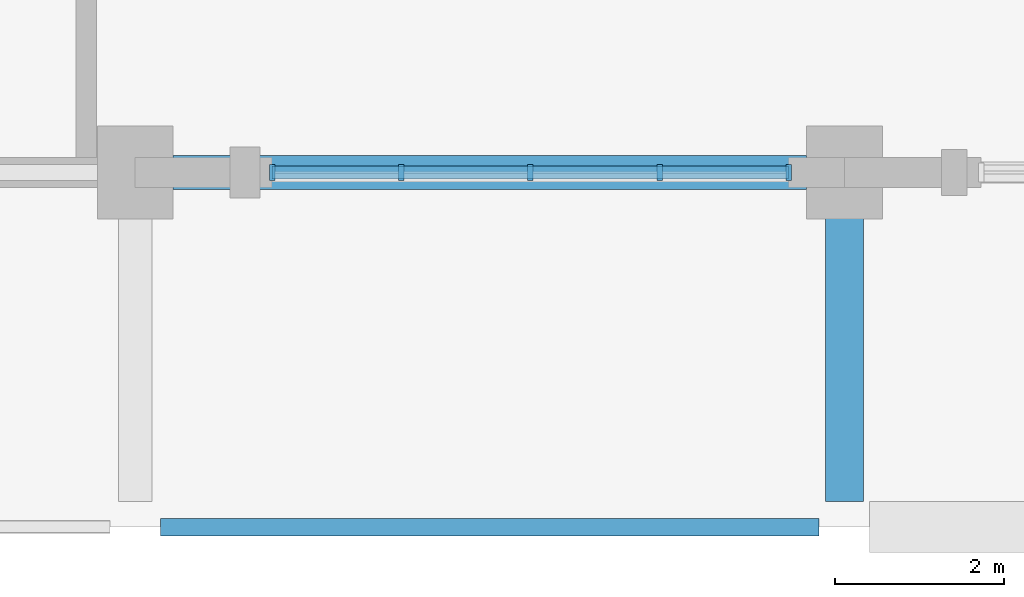
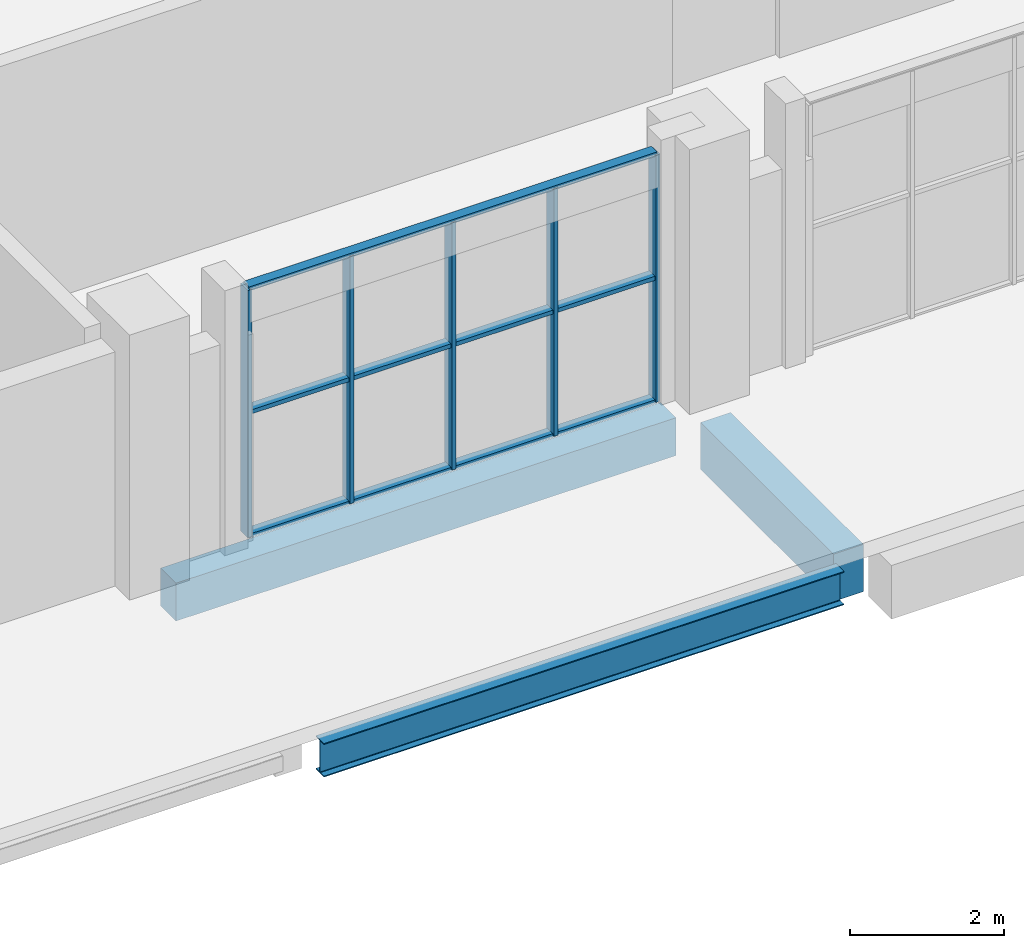
# One storey, part 35 of 59: 8 members, 3 beams, 1 element without a shape of its own.
"""IFC4 building model written with IfcOpenShell, lengths in metres."""

import ifcopenshell
import ifcopenshell.guid

model = None  # the IFC model being written
_history = None  # IfcOwnerHistory: only IFC2X3 demands one
_inside = {}  # id of a spatial element -> (the spatial element, [elements in it])
_under = {}  # id of a project, library or spatial element -> (it, [spatial elements below it])
_declared = {}  # id of a project -> (the project, [libraries it declares])
_typed = {}  # id of a type object -> (the type object, [elements of that type])
_made_of = {}  # id of a material, layer set ... -> (it, [elements and type objects made of it])


def new_model(schema):
    """Start an empty IFC model of exactly this schema.

    Asked for "IFC4X3", IfcOpenShell would pick the latest addendum, in which some entities
    have other attributes; the version numbers below select the first issue.
    IFC2X3 requires an IfcOwnerHistory on every rooted entity: one is made here for all.
    """
    global model, _history
    if schema == "IFC4X3":
        model = ifcopenshell.file(schema_version=(4, 3, 0, 0))
    else:
        model = ifcopenshell.file(schema=schema)
    _inside.clear()
    _under.clear()
    _declared.clear()
    _typed.clear()
    _made_of.clear()
    _history = None
    if model.schema == "IFC2X3":
        org = make("IfcOrganization", Name="unknown")
        user = make(
            "IfcPersonAndOrganization",
            ThePerson=make("IfcPerson", FamilyName="unknown"),
            TheOrganization=org,
        )
        app = make(
            "IfcApplication",
            ApplicationDeveloper=org,
            Version="unknown",
            ApplicationFullName="unknown",
            ApplicationIdentifier="unknown",
        )
        _history = make(
            "IfcOwnerHistory",
            OwningUser=user,
            OwningApplication=app,
            ChangeAction="ADDED",
            CreationDate=0,
        )
    return model


def make(cls, **values):
    """One entity of the class cls with the attributes given. An attribute that is None is left unset."""
    return model.create_entity(
        cls, **{name: value for name, value in values.items() if value is not None}
    )


def rooted(cls, **values):
    """An entity with a GlobalId (a new one), such as an element, a storey or a relation."""
    return make(cls, GlobalId=ifcopenshell.guid.new(), OwnerHistory=_history, **values)


def si_unit(unit_type, name, prefix=None):
    """IfcSIUnit, for example si_unit("LENGTHUNIT", "METRE", prefix="MILLI")."""
    return make("IfcSIUnit", UnitType=unit_type, Prefix=prefix, Name=name)


def derived_unit(unit_type, elements):
    """IfcDerivedUnit: a product of units, each with its exponent."""
    return make(
        "IfcDerivedUnit",
        Elements=[
            make("IfcDerivedUnitElement", Unit=unit, Exponent=power)
            for unit, power in elements
        ],
        UnitType=unit_type,
    )


def assignment(units):
    """IfcUnitAssignment: the units of a project."""
    return None if units is None else make("IfcUnitAssignment", Units=units)


def point(xyz):
    """IfcCartesianPoint."""
    return None if xyz is None else make("IfcCartesianPoint", Coordinates=xyz)


def direction(xyz):
    """IfcDirection."""
    return None if xyz is None else make("IfcDirection", DirectionRatios=xyz)


def frame(location, z_axis=None, x_axis=None):
    """IfcAxis2Placement3D, a coordinate frame: its origin and axes. An axis left out is left unset."""
    return make(
        "IfcAxis2Placement3D",
        Location=point(location),
        Axis=direction(z_axis),
        RefDirection=direction(x_axis),
    )


def frame_2d(location, x_axis=None):
    """IfcAxis2Placement2D, a coordinate frame in the plane: its origin and x axis."""
    return make(
        "IfcAxis2Placement2D", Location=point(location), RefDirection=direction(x_axis)
    )


def origin():
    """The frame at (0, 0, 0) with its axes left unset."""
    return frame((0.0, 0.0, 0.0))


def origin_2d():
    """The frame at (0, 0) in the plane with its x axis left unset."""
    return frame_2d((0.0, 0.0))


def place(relative_to, where):
    """IfcLocalPlacement: puts the frame where relative to a parent placement (None: the world)."""
    return make(
        "IfcLocalPlacement", PlacementRelTo=relative_to, RelativePlacement=where
    )


def context(
    kind, dimensions, precision=None, world=None, true_north=None, identifier=None
):
    """IfcGeometricRepresentationContext, for example the 3D "Model" context."""
    return make(
        "IfcGeometricRepresentationContext",
        ContextIdentifier=identifier,
        ContextType=kind,
        CoordinateSpaceDimension=dimensions,
        Precision=precision,
        WorldCoordinateSystem=world,
        TrueNorth=true_north,
    )


def subcontext(parent, identifier, kind, view, scale=None):
    """IfcGeometricRepresentationSubContext, for example "Body" below "Model"."""
    return make(
        "IfcGeometricRepresentationSubContext",
        ContextIdentifier=identifier,
        ContextType=kind,
        ParentContext=parent,
        TargetScale=scale,
        TargetView=view,
    )


def project(units=None, contexts=None):
    """IfcProject with its units and contexts."""
    return rooted(
        "IfcProject",
        Name="project",
        RepresentationContexts=contexts,
        UnitsInContext=assignment(units),
    )


def spatial(cls, under=None, at=None, **own):
    """A site, building, storey or space (cls), placed at a placement, below another one or the project."""
    s = rooted(cls, ObjectPlacement=at, **own)
    if under is not None:
        _under.setdefault(under.id(), (under, []))[1].append(s)
    return s


def profile(cls, at=None, kind="AREA", **sizes):
    """A parametric profile (cls). Its sizes go by their IFC names, for example OverallWidth=200.0."""
    return make(cls, ProfileType=kind, Position=at, **sizes)


def rectangle(**sizes):
    """IfcRectangleProfileDef."""
    return profile("IfcRectangleProfileDef", **sizes)


def i_section(**sizes):
    """IfcIShapeProfileDef."""
    return profile("IfcIShapeProfileDef", **sizes)


def extrude(swept, where, along, depth):
    """IfcExtrudedAreaSolid: the profile swept, set in the frame where, extruded along a direction by depth."""
    return make(
        "IfcExtrudedAreaSolid",
        SweptArea=swept,
        Position=where,
        ExtrudedDirection=direction(along),
        Depth=depth,
    )


def shape(context_of_items, identifier, shape_type, items):
    """IfcShapeRepresentation: the items that make up one representation, for example the "Body"."""
    return make(
        "IfcShapeRepresentation",
        ContextOfItems=context_of_items,
        RepresentationIdentifier=identifier,
        RepresentationType=shape_type,
        Items=items,
    )


def material(Name=None, Category=None):
    """IfcMaterial."""
    return make("IfcMaterial", Name=Name, Category=Category)


def material_profile(
    of_material, cross_section, Name=None, Category=None, Priority=None
):
    """IfcMaterialProfile: a cross section and its material."""
    return make(
        "IfcMaterialProfile",
        Name=Name,
        Material=of_material,
        Profile=cross_section,
        Priority=Priority,
        Category=Category,
    )


def profile_set(profiles, Name=None, composite=None):
    """IfcMaterialProfileSet."""
    return make(
        "IfcMaterialProfileSet",
        Name=Name,
        MaterialProfiles=profiles,
        CompositeProfile=composite,
    )


def made_of(thing, what):
    """Note that an element or type object is made of a material, layer set ...; save() writes the relation."""
    if what is not None:
        _made_of.setdefault(what.id(), (what, []))[1].append(thing)
    return thing


def type_object(cls, material=None, **own):
    """A type object (cls), such as IfcWallType, which elements share."""
    return made_of(rooted(cls, **own), material)


def element(
    cls,
    number,
    at=None,
    inside=None,
    cuts=None,
    type_object=None,
    material=None,
    context=None,
    identifier="Body",
    shape_type=None,
    held_by="IfcProductDefinitionShape",
    body=None,
    shapes=None,
    **own,
):
    """One element of the class cls, such as IfcWall. Its Tag is "e" and its number.

    at: its placement. inside: the storey or other place that contains it. cuts: it is an
    opening in that element (IfcRelVoidsElement). A single representation is given by context,
    identifier, shape_type and body (its items); several are given by shapes. held_by: the class
    of the entity that holds the representations. save() writes the other relations.
    """
    e = rooted(cls, Tag="e%d" % number, ObjectPlacement=at, **own)
    if body is not None:
        shapes = [shape(context, identifier, shape_type, body)]
    if shapes is not None:
        e.Representation = make(held_by, Representations=shapes)
    if inside is not None:
        _inside.setdefault(inside.id(), (inside, []))[1].append(e)
    if cuts is not None:
        rooted(
            "IfcRelVoidsElement", RelatingBuildingElement=cuts, RelatedOpeningElement=e
        )
    if type_object is not None:
        _typed.setdefault(type_object.id(), (type_object, []))[1].append(e)
    return made_of(e, material)


def aggregate(whole, parts):
    """IfcRelAggregates: a whole, such as a stair, and the parts it consists of."""
    return rooted("IfcRelAggregates", RelatingObject=whole, RelatedObjects=parts)


def save(model, path):
    """Write the relations noted so far, then the file.

    IfcRelAggregates (storeys below a building ...), IfcRelContainedInSpatialStructure (elements
    in a storey), IfcRelDefinesByType, IfcRelAssociatesMaterial and IfcRelDeclares: one each for
    every whole, place, type object, material and project.
    """
    for whole, parts in _under.values():
        aggregate(whole, parts)
    for where, things in _inside.values():
        rooted(
            "IfcRelContainedInSpatialStructure",
            RelatedElements=things,
            RelatingStructure=where,
        )
    for kind, things in _typed.values():
        rooted("IfcRelDefinesByType", RelatedObjects=things, RelatingType=kind)
    for what, things in _made_of.values():
        rooted("IfcRelAssociatesMaterial", RelatedObjects=things, RelatingMaterial=what)
    for by, libraries in _declared.values():
        rooted("IfcRelDeclares", RelatingContext=by, RelatedDefinitions=libraries)
    model.write(path)


model = new_model("IFC4")

# Units and contexts
model_context = context("Model", 3, precision=1e-05, world=origin(), true_north=direction((0.0, 1.0)))
body_context = subcontext(model_context, "Body", "Model", "MODEL_VIEW")
ifc_project = project(units=[si_unit("LENGTHUNIT", "METRE"), si_unit("AREAUNIT", "SQUARE_METRE"), si_unit("VOLUMEUNIT", "CUBIC_METRE"), si_unit("PLANEANGLEUNIT", "RADIAN"), si_unit("MASSUNIT", "GRAM", prefix="KILO"), derived_unit("THERMALTRANSMITTANCEUNIT", [(si_unit("POWERUNIT", "WATT"), 1), (si_unit("LENGTHUNIT", "METRE"), -2), (si_unit("THERMODYNAMICTEMPERATUREUNIT", "KELVIN"), -1)])], contexts=[model_context])

# Site, building, storey
site_placement = place(None, origin())
site = spatial("IfcSite", under=ifc_project, at=site_placement, CompositionType="ELEMENT")
building_placement = place(site_placement, origin())
building = spatial("IfcBuilding", under=site, at=building_placement, Name="Barrovel Congress Hotel", CompositionType="ELEMENT")
storey_placement = place(building_placement, frame((0.0, 0.0, 9.89990234375)))
storey = spatial("IfcBuildingStorey", under=building, at=storey_placement, Name="L02", CompositionType="ELEMENT", Elevation=9.89990234375)

# Beams
ifc_material_1 = material(Name="Concrete C40", Category="concrete")
ifc_material_profile_1 = material_profile(ifc_material_1, rectangle(XDim=0.39990234375, YDim=0.60009765625, at=origin_2d()), Name="RC400x600")
ifc_profile_set_1 = profile_set([ifc_material_profile_1], Name="Concrete C40")
beam_type_1 = type_object("IfcBeamType", Name="BM-RC400x600", PredefinedType="BEAM", material=ifc_profile_set_1)
beam_1_placement = place(storey_placement, frame((151.64990234375, 4.199951171875, -0.559814453125), z_axis=(1.0, 0.0, 0.0), x_axis=(0.0, 1.0, 0.0)))
element("IfcBeam", 1, at=beam_1_placement, inside=storey, type_object=beam_type_1, Name="BMX:L02:4.2:151.2-159.6", PredefinedType="BEAM", context=body_context, shape_type="SweptSolid", body=[
    extrude(rectangle(XDim=0.39990234375, YDim=0.60009765625, at=origin_2d()), origin(), (0.0, 0.0, 1.0), 7.5),
])
ifc_material_profile_2 = material_profile(ifc_material_1, rectangle(XDim=0.449951171875, YDim=0.75, at=origin_2d()), Name="RC450x750")
ifc_profile_set_2 = profile_set([ifc_material_profile_2], Name="Concrete C40")
beam_type_2 = type_object("IfcBeamType", Name="BM-RC450x750", PredefinedType="BEAM", material=ifc_profile_set_2)
beam_2_placement = place(storey_placement, frame((159.60009765625, 0.300048828125, -0.635009765625), z_axis=(0.0, 1.0, 0.0), x_axis=(-1.0, 0.0, 0.0)))
element("IfcBeam", 2, at=beam_2_placement, inside=storey, type_object=beam_type_2, Name="BMY:L02:159.6:0.0-4.2", PredefinedType="BEAM", context=body_context, shape_type="SweptSolid", body=[
    extrude(rectangle(XDim=0.449951171875, YDim=0.75, at=origin_2d()), origin(), (0.0, 0.0, 1.0), 3.449951171875),
])

# Curtain wall, members
ifc_material_2 = material(Name="Anodised Aluminium Alloy 6063-T6", Category="aluminium")
curtain_wall_type = type_object("IfcCurtainWallType", Name="CW-ST-7200x3600", PredefinedType="USERDEFINED", material=ifc_material_2)
curtain_wall_placement = place(storey_placement, origin())
curtain_wall = element("IfcCurtainWall", 3, at=curtain_wall_placement, inside=storey, type_object=curtain_wall_type, Name="CW:L02:S:18", ObjectType="STICK CURTAIN WALL", PredefinedType="USERDEFINED")
ifc_material_profile_3 = material_profile(ifc_material_2, rectangle(XDim=0.06494140625, YDim=0.18994140625, at=origin_2d()), Name="AL-M65x190")
ifc_profile_set_3 = profile_set([ifc_material_profile_3], Name="Anodised Aluminium Alloy 6063-T6")
member_type_1 = type_object("IfcMemberType", Name="CWM-AL-M65x190", PredefinedType="MULLION", material=ifc_profile_set_3)
member_1_placement = place(storey_placement, frame((152.820068359375, 4.199951171875, 0.0), z_axis=(0.0, 0.0, 1.0), x_axis=(1.0, 0.0, 0.0)))
member_1 = element("IfcMember", 4, at=member_1_placement, type_object=member_type_1, Name="CW:L02:S:18:M0", PredefinedType="MULLION", context=body_context, shape_type="SweptSolid", body=[
    extrude(rectangle(XDim=0.06494140625, YDim=0.18994140625, at=origin_2d()), origin(), (0.0, 0.0, 1.0), 3.920166015625),
])
member_2_placement = place(storey_placement, frame((154.35009765625, 4.199951171875, 0.0), z_axis=(0.0, 0.0, 1.0), x_axis=(1.0, 0.0, 0.0)))
member_2 = element("IfcMember", 5, at=member_2_placement, type_object=member_type_1, Name="CW:L02:S:18:M1", PredefinedType="MULLION", context=body_context, shape_type="SweptSolid", body=[
    extrude(rectangle(XDim=0.06494140625, YDim=0.18994140625, at=origin_2d()), origin(), (0.0, 0.0, 1.0), 3.920166015625),
])
member_3_placement = place(storey_placement, frame((155.8798828125, 4.199951171875, 0.0), z_axis=(0.0, 0.0, 1.0), x_axis=(1.0, 0.0, 0.0)))
member_3 = element("IfcMember", 6, at=member_3_placement, type_object=member_type_1, Name="CW:L02:S:18:M2", PredefinedType="MULLION", context=body_context, shape_type="SweptSolid", body=[
    extrude(rectangle(XDim=0.06494140625, YDim=0.18994140625, at=origin_2d()), origin(), (0.0, 0.0, 1.0), 3.920166015625),
])
member_4_placement = place(storey_placement, frame((157.409912109375, 4.199951171875, 0.0), z_axis=(0.0, 0.0, 1.0), x_axis=(1.0, 0.0, 0.0)))
member_4 = element("IfcMember", 7, at=member_4_placement, type_object=member_type_1, Name="CW:L02:S:18:M3", PredefinedType="MULLION", context=body_context, shape_type="SweptSolid", body=[
    extrude(rectangle(XDim=0.06494140625, YDim=0.18994140625, at=origin_2d()), origin(), (0.0, 0.0, 1.0), 3.920166015625),
])
member_5_placement = place(storey_placement, frame((158.93994140625, 4.199951171875, 0.0), z_axis=(0.0, 0.0, 1.0), x_axis=(1.0, 0.0, 0.0)))
member_5 = element("IfcMember", 8, at=member_5_placement, type_object=member_type_1, Name="CW:L02:S:18:M4", PredefinedType="MULLION", context=body_context, shape_type="SweptSolid", body=[
    extrude(rectangle(XDim=0.06494140625, YDim=0.18994140625, at=origin_2d()), origin(), (0.0, 0.0, 1.0), 3.920166015625),
])
ifc_material_profile_4 = material_profile(ifc_material_2, rectangle(XDim=0.14990234375, YDim=0.06494140625, at=origin_2d()), Name="AL-T65x150")
ifc_profile_set_4 = profile_set([ifc_material_profile_4], Name="Anodised Aluminium Alloy 6063-T6")
member_type_2 = type_object("IfcMemberType", Name="CWT-AL-T65x150", PredefinedType="USERDEFINED", material=ifc_profile_set_4)
member_6_placement = place(storey_placement, frame((152.820068359375, 4.199951171875, 0.0), z_axis=(1.0, 0.0, 0.0), x_axis=(0.0, 1.0, 0.0)))
member_6 = element("IfcMember", 9, at=member_6_placement, type_object=member_type_2, Name="CW:L02:S:18:T0", ObjectType="TRANSOM", PredefinedType="USERDEFINED", context=body_context, shape_type="SweptSolid", body=[
    extrude(rectangle(XDim=0.14990234375, YDim=0.06494140625, at=origin_2d()), origin(), (0.0, 0.0, 1.0), 6.119873046875),
])
member_7_placement = place(storey_placement, frame((152.820068359375, 4.199951171875, 1.960205078125), z_axis=(1.0, 0.0, 0.0), x_axis=(0.0, 1.0, 0.0)))
member_7 = element("IfcMember", 10, at=member_7_placement, type_object=member_type_2, Name="CW:L02:S:18:T1", ObjectType="TRANSOM", PredefinedType="USERDEFINED", context=body_context, shape_type="SweptSolid", body=[
    extrude(rectangle(XDim=0.14990234375, YDim=0.06494140625, at=origin_2d()), origin(), (0.0, 0.0, 1.0), 6.119873046875),
])
member_8_placement = place(storey_placement, frame((152.820068359375, 4.199951171875, 3.920166015625), z_axis=(1.0, 0.0, 0.0), x_axis=(0.0, 1.0, 0.0)))
member_8 = element("IfcMember", 11, at=member_8_placement, type_object=member_type_2, Name="CW:L02:S:18:T2", ObjectType="TRANSOM", PredefinedType="USERDEFINED", context=body_context, shape_type="SweptSolid", body=[
    extrude(rectangle(XDim=0.14990234375, YDim=0.06494140625, at=origin_2d()), origin(), (0.0, 0.0, 1.0), 6.119873046875),
])
aggregate(curtain_wall, [member_1, member_2, member_3, member_4, member_5, member_6, member_7, member_8])

# Beam
ifc_material_3 = material(Name="Steel ASTM A992 Grade 50", Category="steel")
ifc_material_profile_5 = material_profile(ifc_material_3, i_section(OverallWidth=0.208984375, OverallDepth=0.532958984375, WebThickness=0.01025390625, FlangeThickness=0.015625, FilletRadius=0.013916015625, at=origin_2d()), Name="W530x92")
ifc_profile_set_5 = profile_set([ifc_material_profile_5], Name="Steel ASTM A992 Grade 50")
beam_type_3 = type_object("IfcBeamType", Name="SBM-W530x92", PredefinedType="BEAM", material=ifc_profile_set_5)
beam_3_placement = place(storey_placement, frame((151.5, 0.0, -0.5263671875), z_axis=(1.0, 0.0, 0.0), x_axis=(0.0, 1.0, 0.0)))
element("IfcBeam", 12, at=beam_3_placement, inside=storey, type_object=beam_type_3, Name="BMX:L02:0.0:151.2-159.6", PredefinedType="BEAM", context=body_context, shape_type="SweptSolid", body=[
    extrude(i_section(OverallWidth=0.208984375, OverallDepth=0.532958984375, WebThickness=0.01025390625, FlangeThickness=0.015625, FilletRadius=0.013916015625, at=origin_2d()), origin(), (0.0, 0.0, 1.0), 7.800048828125),
])

save(model, "model.ifc")
